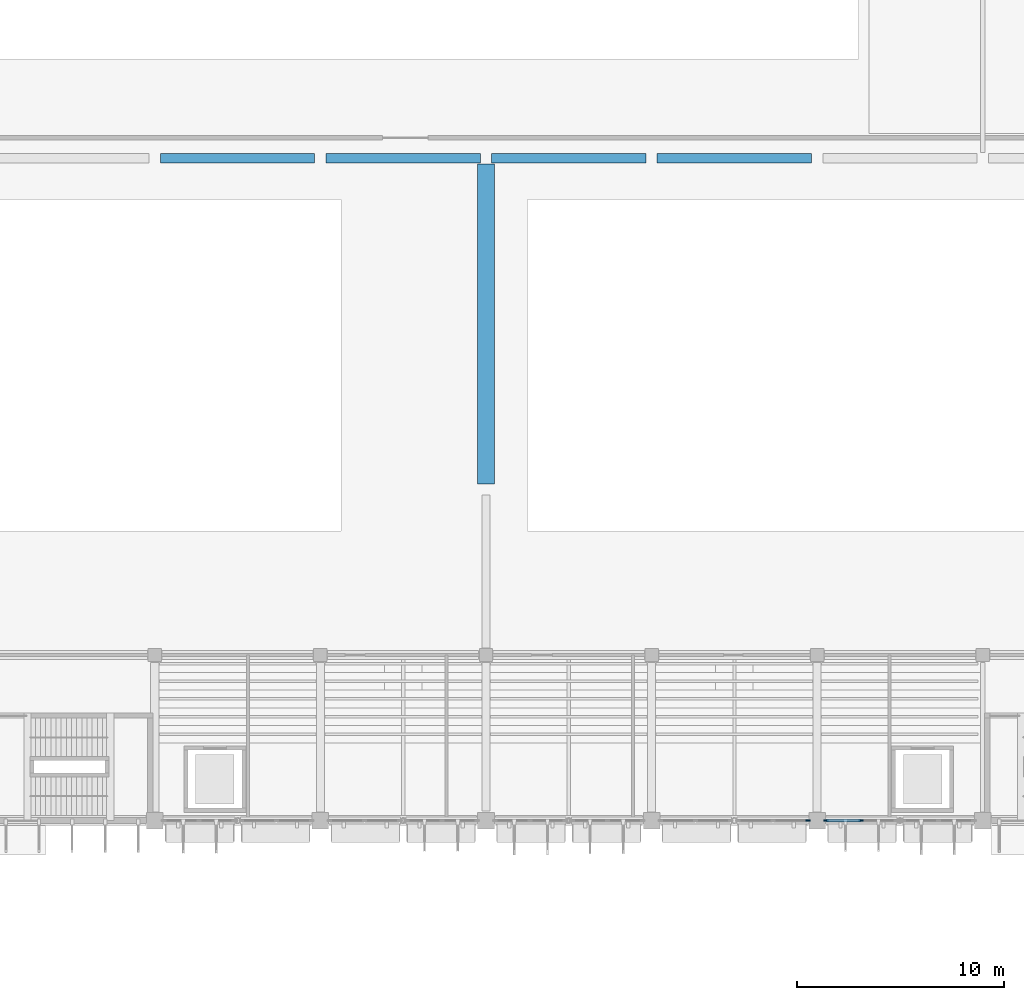
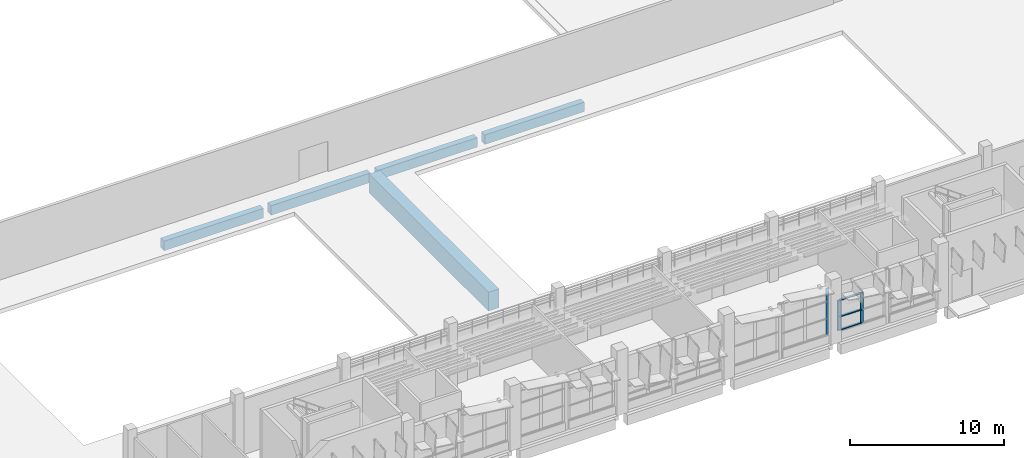
# One storey, part 17 of 103: 6 members, 5 beams, 2 elements without a shape of their own.
"""IFC4 building model written with IfcOpenShell, lengths in metres."""

from ifc_helpers import new_model, si_unit, direction, frame, origin, origin_2d, place, context, subcontext, project, spatial, rectangle, extrude, material, layer, layer_set, material_profile, profile_set, type_object, element, aggregate, save


model = new_model("IFC4")

# Units and contexts
model_context = context("Model", 3, precision=1e-05, world=origin(), true_north=direction((0.0, 1.0)))
body_context = subcontext(model_context, "Body", "Model", "MODEL_VIEW")
ifc_project = project(units=[si_unit("LENGTHUNIT", "METRE"), si_unit("AREAUNIT", "SQUARE_METRE"), si_unit("VOLUMEUNIT", "CUBIC_METRE"), si_unit("PLANEANGLEUNIT", "RADIAN"), si_unit("MASSUNIT", "GRAM", prefix="KILO")], contexts=[model_context])

# Site, building, storey
site_placement = place(None, origin())
site = spatial("IfcSite", under=ifc_project, at=site_placement, CompositionType="ELEMENT")
building_placement = place(site_placement, origin())
building = spatial("IfcBuilding", under=site, at=building_placement, Name="Drelvana Railside Aquatics Centre", CompositionType="ELEMENT")
storey_placement = place(building_placement, origin())
storey = spatial("IfcBuildingStorey", under=building, at=storey_placement, Name="L00", CompositionType="ELEMENT", Elevation=0.0)

# Curtain wall, member
ifc_material_1 = material(Name="Bronze-anodised aluminium curtain wall", Category="aluminium")
ifc_layer = layer(ifc_material_1, 0.199951171875, Name="Bronze-anodised aluminium curtain wall")
ifc_layer_set = layer_set([ifc_layer], Name="Bronze-anodised aluminium curtain wall")
curtain_wall_type = type_object("IfcCurtainWallType", Name="CW-Z1-SINE", PredefinedType="NOTDEFINED", material=ifc_layer_set)
curtain_wall_1_placement = place(storey_placement, origin())
curtain_wall_1 = element("IfcCurtainWall", 1, at=curtain_wall_1_placement, inside=storey, type_object=curtain_wall_type, Name="Curtain wall CW-01-010", PredefinedType="NOTDEFINED")
ifc_material_2 = material(Name="Bronze-anodised aluminium 6063-T6", Category="aluminium")
ifc_material_profile_1 = material_profile(ifc_material_2, rectangle(XDim=0.074951171875, YDim=0.22509765625, at=origin_2d()), Name="ALU-M 75x225")
ifc_profile_set_1 = profile_set([ifc_material_profile_1], Name="Bronze-anodised aluminium 6063-T6")
member_type_1 = type_object("IfcMemberType", Name="CW-Z1-SINE-MUL", PredefinedType="MULLION", material=ifc_profile_set_1)
member_1_placement = place(storey_placement, frame((63.568603515625, 16.0, 0.64404296875), z_axis=(0.0, 0.0, 1.0), x_axis=(0.0, 1.0, 0.0)))
member_1 = element("IfcMember", 2, at=member_1_placement, type_object=member_type_1, Name="CW-01 mullion 3", PredefinedType="MULLION", context=body_context, shape_type="SweptSolid", body=[
    extrude(rectangle(XDim=0.074951171875, YDim=0.22509765625, at=origin_2d()), origin(), (0.0, 0.0, 1.0), 3.660888671875),
])
aggregate(curtain_wall_1, [member_1])

# Curtain wall, members
curtain_wall_2_placement = place(storey_placement, origin())
curtain_wall_2 = element("IfcCurtainWall", 3, at=curtain_wall_2_placement, inside=storey, type_object=curtain_wall_type, Name="Curtain wall CW-01-011", PredefinedType="NOTDEFINED")
member_2_placement = place(storey_placement, frame((64.431396484375, 16.0, 0.64404296875), z_axis=(0.0, 0.0, 1.0), x_axis=(0.0, 1.0, 0.0)))
member_2 = element("IfcMember", 4, at=member_2_placement, type_object=member_type_1, Name="CW-01 mullion 1", PredefinedType="MULLION", context=body_context, shape_type="SweptSolid", body=[
    extrude(rectangle(XDim=0.074951171875, YDim=0.22509765625, at=origin_2d()), origin(), (0.0, 0.0, 1.0), 2.4140625),
])
member_3_placement = place(storey_placement, frame((66.126953125, 16.0, 0.64404296875), z_axis=(0.0, 0.0, 1.0), x_axis=(0.0, 1.0, 0.0)))
member_3 = element("IfcMember", 5, at=member_3_placement, type_object=member_type_1, Name="CW-01 mullion 2", PredefinedType="MULLION", context=body_context, shape_type="SweptSolid", body=[
    extrude(rectangle(XDim=0.074951171875, YDim=0.22509765625, at=origin_2d()), origin(), (0.0, 0.0, 1.0), 2.4140625),
])
ifc_material_profile_2 = material_profile(ifc_material_2, rectangle(XDim=0.159912109375, YDim=0.070068359375, at=origin_2d()), Name="ALU-T 70x160")
ifc_profile_set_2 = profile_set([ifc_material_profile_2], Name="Bronze-anodised aluminium 6063-T6")
member_type_2 = type_object("IfcMemberType", Name="CW-Z1-SINE-TRN", PredefinedType="USERDEFINED", material=ifc_profile_set_2)
member_4_placement = place(storey_placement, frame((64.464111328125, 16.0, 0.678955078125), z_axis=(1.0, 0.0, 0.0), x_axis=(0.0, 1.0, 0.0)))
member_4 = element("IfcMember", 6, at=member_4_placement, type_object=member_type_2, Name="CW-01 transom 1.1", ObjectType="TRANSOM", PredefinedType="USERDEFINED", context=body_context, shape_type="SweptSolid", body=[
    extrude(rectangle(XDim=0.159912109375, YDim=0.070068359375, at=origin_2d()), origin(), (0.0, 0.0, 1.0), 1.63037109375),
])
member_5_placement = place(storey_placement, frame((64.464111328125, 16.0, 1.72998046875), z_axis=(1.0, 0.0, 0.0), x_axis=(0.0, 1.0, 0.0)))
member_5 = element("IfcMember", 7, at=member_5_placement, type_object=member_type_2, Name="CW-01 transom 1.2", ObjectType="TRANSOM", PredefinedType="USERDEFINED", context=body_context, shape_type="SweptSolid", body=[
    extrude(rectangle(XDim=0.159912109375, YDim=0.070068359375, at=origin_2d()), origin(), (0.0, 0.0, 1.0), 1.63037109375),
])
member_6_placement = place(storey_placement, frame((64.464111328125, 16.0, 3.02294921875), z_axis=(1.0, 0.0, 0.0), x_axis=(0.0, 1.0, 0.0)))
member_6 = element("IfcMember", 8, at=member_6_placement, type_object=member_type_2, Name="CW-01 transom 1.3", ObjectType="TRANSOM", PredefinedType="USERDEFINED", context=body_context, shape_type="SweptSolid", body=[
    extrude(rectangle(XDim=0.159912109375, YDim=0.070068359375, at=origin_2d()), origin(), (0.0, 0.0, 1.0), 1.63037109375),
])
aggregate(curtain_wall_2, [member_2, member_3, member_4, member_5, member_6])

# Beams
ifc_material_3 = material(Name="Concrete C40/50", Category="concrete")
ifc_material_profile_3 = material_profile(ifc_material_3, rectangle(XDim=0.449951171875, YDim=0.75, at=origin_2d()), Name="RC 450x750")
ifc_profile_set_3 = profile_set([ifc_material_profile_3], Name="Concrete C40/50")
beam_type_1 = type_object("IfcBeamType", Name="STR-BM-BM-04-RC-450x750", PredefinedType="BEAM", material=ifc_profile_set_3)
for number, where, z_axis, x_axis, name in (
    (9, (32.27490234375, 48.0, -0.705078125), (1.0, 0.0, 0.0), (0.0, 1.0, 0.0), "Girder BM-04 (L00)"),
    (10, (40.27490234375, 48.0, -0.705078125), (1.0, 0.0, 0.0), (0.0, 1.0, 0.0), "Girder BM-04 (L00)"),
    (11, (48.27490234375, 48.0, -0.705078125), (1.0, 0.0, 0.0), (0.0, 1.0, 0.0), "Girder BM-04 (L00)"),
    (12, (56.27490234375, 48.0, -0.705078125), (1.0, 0.0, 0.0), (0.0, 1.0, 0.0), "Girder BM-04 (L00)"),
):
    element("IfcBeam", number, at=place(storey_placement, frame(where, z_axis=z_axis, x_axis=x_axis)), inside=storey, type_object=beam_type_1, Name=name, PredefinedType="BEAM", context=body_context, shape_type="SweptSolid", body=[
        extrude(rectangle(XDim=0.449951171875, YDim=0.75, at=origin_2d()), origin(), (0.0, 0.0, 1.0), 7.4501953125),
    ])
ifc_material_profile_4 = material_profile(ifc_material_3, rectangle(XDim=0.800048828125, YDim=1.5, at=origin_2d()), Name="RC 800x1500")
ifc_profile_set_4 = profile_set([ifc_material_profile_4], Name="Concrete C40/50")
beam_type_2 = type_object("IfcBeamType", Name="STR-BM-TG-03-RC-800x1500", PredefinedType="BEAM", material=ifc_profile_set_4)
beam_placement = place(storey_placement, frame((48.0, 32.27490234375, -1.080078125), z_axis=(0.0, 1.0, 0.0), x_axis=(-1.0, 0.0, 0.0)))
element("IfcBeam", 13, at=beam_placement, inside=storey, type_object=beam_type_2, Name="Girder TG-03 (L00)", PredefinedType="BEAM", context=body_context, shape_type="SweptSolid", body=[
    extrude(rectangle(XDim=0.800048828125, YDim=1.5, at=origin_2d()), origin(), (0.0, 0.0, 1.0), 15.4501953125),
])

save(model, "model.ifc")
